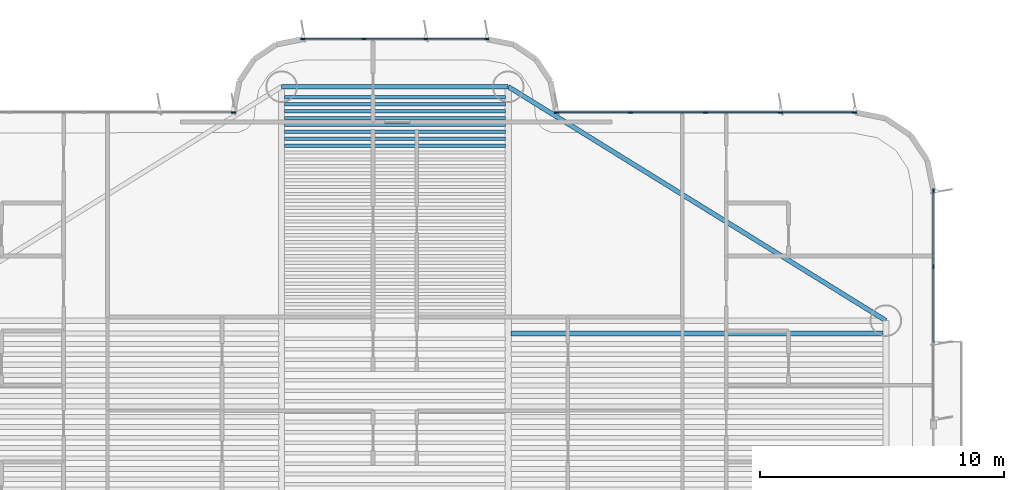
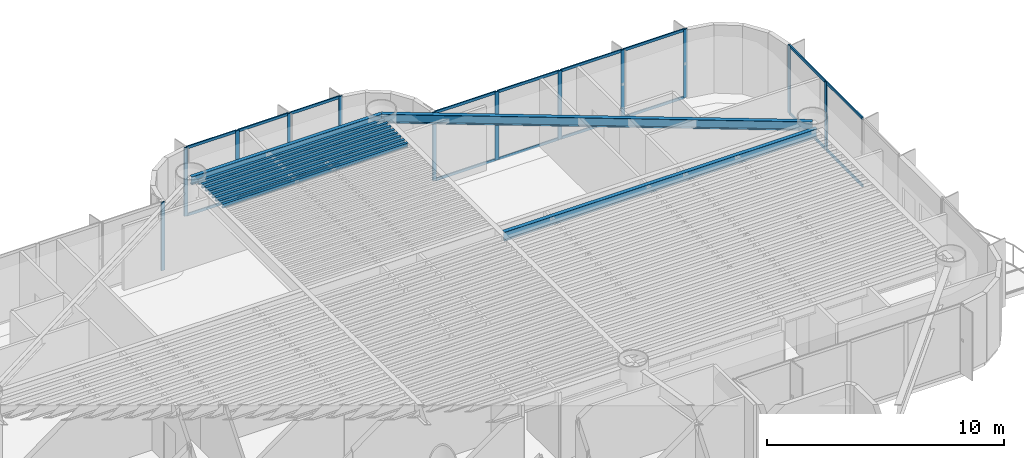
# One storey, part 7 of 17: 30 members, 11 beams, 4 elements without a shape of their own.
"""IFC4 building model written with IfcOpenShell, lengths in metres."""

from ifc_helpers import new_model, si_unit, direction, frame, origin, origin_2d, place, context, subcontext, project, spatial, rectangle, i_section, extrude, source, transform, mapped, material, layer, layer_set, material_profile, profile_set, type_object, element, aggregate, save


model = new_model("IFC4")

# Units and contexts
model_context = context("Model", 3, precision=1e-05, world=origin(), true_north=direction((0.0, 1.0)))
body_context = subcontext(model_context, "Body", "Model", "MODEL_VIEW")
ifc_project = project(units=[si_unit("LENGTHUNIT", "METRE"), si_unit("AREAUNIT", "SQUARE_METRE"), si_unit("VOLUMEUNIT", "CUBIC_METRE"), si_unit("PLANEANGLEUNIT", "RADIAN"), si_unit("MASSUNIT", "GRAM", prefix="KILO")], contexts=[model_context])

# Site, building, storey
site_placement = place(None, origin())
site = spatial("IfcSite", under=ifc_project, at=site_placement, CompositionType="ELEMENT")
building_placement = place(site_placement, origin())
building = spatial("IfcBuilding", under=site, at=building_placement, Name="Brelvock Crest Care Tower", CompositionType="ELEMENT")
storey_placement = place(building_placement, frame((0.0, 0.0, 135.179931640625)))
storey = spatial("IfcBuildingStorey", under=building, at=storey_placement, Name="L34", CompositionType="ELEMENT", Elevation=135.179931640625)

# Beams
ifc_material_1 = material(Name="Steel Grade 350", Category="steel")
ifc_material_profile_1 = material_profile(ifc_material_1, i_section(OverallWidth=0.177978515625, OverallDepth=0.406005859375, WebThickness=0.0078125, FlangeThickness=0.0126953125, FilletRadius=0.011474609375, at=origin_2d()), Name="410UB59.7")
ifc_profile_set_1 = profile_set([ifc_material_profile_1], Name="Steel Grade 350")
beam_type_1 = type_object("IfcBeamType", Name="BM-SP1", PredefinedType="SPANDREL", material=ifc_profile_set_1)
shared_shape_1 = source(origin(), body_context, "Body", "SweptSolid", [
    extrude(i_section(OverallWidth=0.177978515625, OverallDepth=0.406005859375, WebThickness=0.0078125, FlangeThickness=0.0126953125, FilletRadius=0.011474609375, at=origin_2d()), origin(), (0.0, 0.0, 1.0), 9.2998046875),
])
beam_1_placement = place(storey_placement, frame((31.35009765625, 48.449951171875, 3.3271484375), z_axis=(1.0, 0.0, 0.0), x_axis=(0.0, 1.0, 0.0)))
element("IfcBeam", 1, at=beam_1_placement, inside=storey, type_object=beam_type_1, Name="BM-TWR-L34-08", PredefinedType="SPANDREL", context=body_context, shape_type="MappedRepresentation", body=[
    mapped(shared_shape_1, transform((0.0, 0.0, 0.0), x_axis=(1.0, 0.0, 0.0), y_axis=(0.0, 1.0, 0.0), z_axis=(0.0, 0.0, 1.0), scale=1.0)),
])
ifc_material_profile_2 = material_profile(ifc_material_1, i_section(OverallWidth=0.134033203125, OverallDepth=0.20703125, WebThickness=0.00634765625, FlangeThickness=0.009521484375, FilletRadius=0.0087890625, at=origin_2d()), Name="200UB29.8")
ifc_profile_set_2 = profile_set([ifc_material_profile_2], Name="Steel Grade 350")
beam_type_2 = type_object("IfcBeamType", Name="BM-J4", PredefinedType="JOIST", material=ifc_profile_set_2)
shared_shape_2 = source(origin(), body_context, "Body", "SweptSolid", [
    extrude(i_section(OverallWidth=0.134033203125, OverallDepth=0.20703125, WebThickness=0.00634765625, FlangeThickness=0.009521484375, FilletRadius=0.0087890625, at=origin_2d()), origin(), (0.0, 0.0, 1.0), 9.06982421875),
])
for number, where, z_axis, x_axis, name in (
    (2, (31.465087890625, 46.03076171875, 3.426513671875), (1.0, 0.0, 0.0), (0.0, 1.0, 0.0), "BM-JN-L34-25"),
    (3, (31.465087890625, 46.31396484375, 3.426513671875), (1.0, 0.0, 0.0), (0.0, 1.0, 0.0), "BM-JN-L34-26"),
    (4, (31.465087890625, 46.59716796875, 3.426513671875), (1.0, 0.0, 0.0), (0.0, 1.0, 0.0), "BM-JN-L34-27"),
    (5, (31.465087890625, 46.88037109375, 3.426513671875), (1.0, 0.0, 0.0), (0.0, 1.0, 0.0), "BM-JN-L34-28"),
    (6, (31.465087890625, 47.16357421875, 3.426513671875), (1.0, 0.0, 0.0), (0.0, 1.0, 0.0), "BM-JN-L34-29"),
    (7, (31.465087890625, 47.44677734375, 3.426513671875), (1.0, 0.0, 0.0), (0.0, 1.0, 0.0), "BM-JN-L34-30"),
    (8, (31.465087890625, 47.72998046875, 3.426513671875), (1.0, 0.0, 0.0), (0.0, 1.0, 0.0), "BM-JN-L34-31"),
    (9, (31.465087890625, 48.01318359375, 3.426513671875), (1.0, 0.0, 0.0), (0.0, 1.0, 0.0), "BM-JN-L34-32"),
):
    element("IfcBeam", number, at=place(storey_placement, frame(where, z_axis=z_axis, x_axis=x_axis)), inside=storey, type_object=beam_type_2, Name=name, PredefinedType="JOIST", context=body_context, shape_type="MappedRepresentation", body=[
        mapped(shared_shape_2, transform((0.0, 0.0, 0.0), x_axis=(1.0, 0.0, 0.0), y_axis=(0.0, 1.0, 0.0), z_axis=(0.0, 0.0, 1.0), scale=1.0)),
    ])
ifc_material_profile_3 = material_profile(ifc_material_1, i_section(OverallWidth=0.19091796875, OverallDepth=0.4599609375, WebThickness=0.010009765625, FlangeThickness=0.01611328125, FilletRadius=0.011474609375, at=origin_2d()), Name="460UB82.1")
ifc_profile_set_3 = profile_set([ifc_material_profile_3], Name="Steel Grade 350")
beam_type_3 = type_object("IfcBeamType", Name="BM-G3", PredefinedType="BEAM", material=ifc_profile_set_3)
shared_shape_3 = source(origin(), body_context, "Body", "SweptSolid", [
    extrude(i_section(OverallWidth=0.19091796875, OverallDepth=0.4599609375, WebThickness=0.010009765625, FlangeThickness=0.01611328125, FilletRadius=0.011474609375, at=origin_2d()), origin(), (0.0, 0.0, 1.0), 15.27001953125),
])
beam_2_placement = place(storey_placement, frame((40.764892578125, 38.317626953125, 3.300048828125), z_axis=(1.0, 0.0, 0.0), x_axis=(0.0, 1.0, 0.0)))
element("IfcBeam", 10, at=beam_2_placement, inside=storey, type_object=beam_type_3, Name="BM-JE-L34-26", PredefinedType="BEAM", context=body_context, shape_type="MappedRepresentation", body=[
    mapped(shared_shape_3, transform((0.0, 0.0, 0.0), x_axis=(1.0, 0.0, 0.0), y_axis=(0.0, 1.0, 0.0), z_axis=(0.0, 0.0, 1.0), scale=1.0)),
])
ifc_material_profile_4 = material_profile(ifc_material_1, i_section(OverallWidth=0.19091796875, OverallDepth=0.4599609375, WebThickness=0.010009765625, FlangeThickness=0.01611328125, FilletRadius=0.011474609375, at=origin_2d()), Name="460UB82.1")
ifc_profile_set_4 = profile_set([ifc_material_profile_4], Name="Steel Grade 350")
beam_type_4 = type_object("IfcBeamType", Name="BM-SP2", PredefinedType="SPANDREL", material=ifc_profile_set_4)
shared_shape_4 = source(origin(), body_context, "Body", "SweptSolid", [
    extrude(i_section(OverallWidth=0.19091796875, OverallDepth=0.4599609375, WebThickness=0.010009765625, FlangeThickness=0.01611328125, FilletRadius=0.011474609375, at=origin_2d()), origin(), (0.0, 0.0, 1.0), 18.23193359375),
])
beam_3_placement = place(storey_placement, frame((40.64990234375, 48.449951171875, 3.300048828125), z_axis=(0.85015183248, -0.526537616635, 0.0), x_axis=(0.526537616635, 0.85015183248, 0.0)))
element("IfcBeam", 11, at=beam_3_placement, inside=storey, type_object=beam_type_4, Name="BM-TWR-L34-07", PredefinedType="SPANDREL", context=body_context, shape_type="MappedRepresentation", body=[
    mapped(shared_shape_4, transform((0.0, 0.0, 0.0), x_axis=(1.0, 0.0, 0.0), y_axis=(0.0, 1.0, 0.0), z_axis=(0.0, 0.0, 1.0), scale=1.0)),
])

# Curtain wall, member
ifc_material_2 = material(Name="Dark Glass Double Glazed Low-E", Category="glass")
ifc_layer = layer(ifc_material_2, 0.2099609375, Name="CWS-3")
ifc_layer_set = layer_set([ifc_layer], Name="Dark Glass Double Glazed Low-E")
curtain_wall_type = type_object("IfcCurtainWallType", Name="CWS-3", PredefinedType="NOTDEFINED", material=ifc_layer_set)
curtain_wall_1_placement = place(storey_placement, origin())
curtain_wall_1 = element("IfcCurtainWall", 12, at=curtain_wall_1_placement, inside=storey, type_object=curtain_wall_type, Name="L34 Curtain Wall E22", PredefinedType="NOTDEFINED")
ifc_material_3 = material(Name="Aluminium 6063-T6", Category="aluminium")
ifc_material_profile_5 = material_profile(ifc_material_3, rectangle(XDim=0.06005859375, YDim=0.179931640625, at=origin_2d()), Name="ALU60x180")
ifc_profile_set_5 = profile_set([ifc_material_profile_5], Name="Aluminium 6063-T6")
member_type_1 = type_object("IfcMemberType", Name="CWM-2", PredefinedType="MULLION", material=ifc_profile_set_5)
shared_shape_5 = source(origin(), body_context, "Body", "SweptSolid", [
    extrude(rectangle(XDim=0.06005859375, YDim=0.179931640625, at=origin_2d()), origin(), (0.0, 0.0, 1.0), 3.530029296875),
])
member_1_placement = place(storey_placement, frame((29.3701171875, 47.39990234375, 0.0), z_axis=(0.0, 0.0, 1.0), x_axis=(0.0, 1.0, 0.0)))
member_1 = element("IfcMember", 13, at=member_1_placement, type_object=member_type_1, Name="CW-3 mullion 5", PredefinedType="MULLION", context=body_context, shape_type="MappedRepresentation", body=[
    mapped(shared_shape_5, transform((0.0, 0.0, 0.0), x_axis=(1.0, 0.0, 0.0), y_axis=(0.0, 1.0, 0.0), z_axis=(0.0, 0.0, 1.0), scale=1.0)),
])
aggregate(curtain_wall_1, [member_1])

# Curtain wall, members
curtain_wall_2_placement = place(storey_placement, origin())
curtain_wall_2 = element("IfcCurtainWall", 14, at=curtain_wall_2_placement, inside=storey, type_object=curtain_wall_type, Name="L34 Curtain Wall E28", PredefinedType="NOTDEFINED")
member_2_placement = place(storey_placement, frame((32.22998046875, 50.39990234375, 0.0), z_axis=(0.0, 0.0, 1.0), x_axis=(0.0, 1.0, 0.0)))
member_2 = element("IfcMember", 15, at=member_2_placement, type_object=member_type_1, Name="CW-3 mullion 1", PredefinedType="MULLION", context=body_context, shape_type="MappedRepresentation", body=[
    mapped(shared_shape_5, transform((0.0, 0.0, 0.0), x_axis=(1.0, 0.0, 0.0), y_axis=(0.0, 1.0, 0.0), z_axis=(0.0, 0.0, 1.0), scale=1.0)),
])
member_3_placement = place(storey_placement, frame((34.7333984375, 50.39990234375, 0.0), z_axis=(0.0, 0.0, 1.0), x_axis=(0.0, 1.0, 0.0)))
member_3 = element("IfcMember", 16, at=member_3_placement, type_object=member_type_1, Name="CW-3 mullion 2", PredefinedType="MULLION", context=body_context, shape_type="MappedRepresentation", body=[
    mapped(shared_shape_5, transform((0.0, 0.0, 0.0), x_axis=(1.0, 0.0, 0.0), y_axis=(0.0, 1.0, 0.0), z_axis=(0.0, 0.0, 1.0), scale=1.0)),
])
member_4_placement = place(storey_placement, frame((37.2666015625, 50.39990234375, 0.0), z_axis=(0.0, 0.0, 1.0), x_axis=(0.0, 1.0, 0.0)))
member_4 = element("IfcMember", 17, at=member_4_placement, type_object=member_type_1, Name="CW-3 mullion 3", PredefinedType="MULLION", context=body_context, shape_type="MappedRepresentation", body=[
    mapped(shared_shape_5, transform((0.0, 0.0, 0.0), x_axis=(1.0, 0.0, 0.0), y_axis=(0.0, 1.0, 0.0), z_axis=(0.0, 0.0, 1.0), scale=1.0)),
])
member_5_placement = place(storey_placement, frame((39.77001953125, 50.39990234375, 0.0), z_axis=(0.0, 0.0, 1.0), x_axis=(0.0, 1.0, 0.0)))
member_5 = element("IfcMember", 18, at=member_5_placement, type_object=member_type_1, Name="CW-3 mullion 4", PredefinedType="MULLION", context=body_context, shape_type="MappedRepresentation", body=[
    mapped(shared_shape_5, transform((0.0, 0.0, 0.0), x_axis=(1.0, 0.0, 0.0), y_axis=(0.0, 1.0, 0.0), z_axis=(0.0, 0.0, 1.0), scale=1.0)),
])

curtain_wall_3_placement = place(storey_placement, origin())
curtain_wall_3 = element("IfcCurtainWall", 19, at=curtain_wall_3_placement, inside=storey, type_object=curtain_wall_type, Name="L34 Curtain Wall E34", PredefinedType="NOTDEFINED")
member_6_placement = place(storey_placement, frame((42.6298828125, 47.39990234375, 0.0), z_axis=(0.0, 0.0, 1.0), x_axis=(0.0, 1.0, 0.0)))
member_6 = element("IfcMember", 20, at=member_6_placement, type_object=member_type_1, Name="CW-3 mullion 1", PredefinedType="MULLION", context=body_context, shape_type="MappedRepresentation", body=[
    mapped(shared_shape_5, transform((0.0, 0.0, 0.0), x_axis=(1.0, 0.0, 0.0), y_axis=(0.0, 1.0, 0.0), z_axis=(0.0, 0.0, 1.0), scale=1.0)),
])
member_7_placement = place(storey_placement, frame((45.675048828125, 47.39990234375, 0.0), z_axis=(0.0, 0.0, 1.0), x_axis=(0.0, 1.0, 0.0)))
member_7 = element("IfcMember", 21, at=member_7_placement, type_object=member_type_1, Name="CW-3 mullion 2", PredefinedType="MULLION", context=body_context, shape_type="MappedRepresentation", body=[
    mapped(shared_shape_5, transform((0.0, 0.0, 0.0), x_axis=(1.0, 0.0, 0.0), y_axis=(0.0, 1.0, 0.0), z_axis=(0.0, 0.0, 1.0), scale=1.0)),
])
member_8_placement = place(storey_placement, frame((48.75, 47.39990234375, 0.0), z_axis=(0.0, 0.0, 1.0), x_axis=(0.0, 1.0, 0.0)))
member_8 = element("IfcMember", 22, at=member_8_placement, type_object=member_type_1, Name="CW-3 mullion 3", PredefinedType="MULLION", context=body_context, shape_type="MappedRepresentation", body=[
    mapped(shared_shape_5, transform((0.0, 0.0, 0.0), x_axis=(1.0, 0.0, 0.0), y_axis=(0.0, 1.0, 0.0), z_axis=(0.0, 0.0, 1.0), scale=1.0)),
])
member_9_placement = place(storey_placement, frame((51.824951171875, 47.39990234375, 0.0), z_axis=(0.0, 0.0, 1.0), x_axis=(0.0, 1.0, 0.0)))
member_9 = element("IfcMember", 23, at=member_9_placement, type_object=member_type_1, Name="CW-3 mullion 4", PredefinedType="MULLION", context=body_context, shape_type="MappedRepresentation", body=[
    mapped(shared_shape_5, transform((0.0, 0.0, 0.0), x_axis=(1.0, 0.0, 0.0), y_axis=(0.0, 1.0, 0.0), z_axis=(0.0, 0.0, 1.0), scale=1.0)),
])
member_10_placement = place(storey_placement, frame((54.8701171875, 47.39990234375, 0.0), z_axis=(0.0, 0.0, 1.0), x_axis=(0.0, 1.0, 0.0)))
member_10 = element("IfcMember", 24, at=member_10_placement, type_object=member_type_1, Name="CW-3 mullion 5", PredefinedType="MULLION", context=body_context, shape_type="MappedRepresentation", body=[
    mapped(shared_shape_5, transform((0.0, 0.0, 0.0), x_axis=(1.0, 0.0, 0.0), y_axis=(0.0, 1.0, 0.0), z_axis=(0.0, 0.0, 1.0), scale=1.0)),
])

curtain_wall_4_placement = place(storey_placement, origin())
curtain_wall_4 = element("IfcCurtainWall", 25, at=curtain_wall_4_placement, inside=storey, type_object=curtain_wall_type, Name="L34 Curtain Wall E39A", PredefinedType="NOTDEFINED")
member_11_placement = place(storey_placement, frame((58.10009765625, 44.169921875, 0.0), z_axis=(0.0, 0.0, 1.0), x_axis=(1.0, 0.0, 0.0)))
member_11 = element("IfcMember", 26, at=member_11_placement, type_object=member_type_1, Name="CW-3 mullion 1", PredefinedType="MULLION", context=body_context, shape_type="MappedRepresentation", body=[
    mapped(shared_shape_5, transform((0.0, 0.0, 0.0), x_axis=(1.0, 0.0, 0.0), y_axis=(0.0, 1.0, 0.0), z_axis=(0.0, 0.0, 1.0), scale=1.0)),
])
member_12_placement = place(storey_placement, frame((58.10009765625, 41.066650390625, 0.0), z_axis=(0.0, 0.0, 1.0), x_axis=(1.0, 0.0, 0.0)))
member_12 = element("IfcMember", 27, at=member_12_placement, type_object=member_type_1, Name="CW-3 mullion 2", PredefinedType="MULLION", context=body_context, shape_type="MappedRepresentation", body=[
    mapped(shared_shape_5, transform((0.0, 0.0, 0.0), x_axis=(1.0, 0.0, 0.0), y_axis=(0.0, 1.0, 0.0), z_axis=(0.0, 0.0, 1.0), scale=1.0)),
])

# Member
ifc_material_profile_6 = material_profile(ifc_material_3, rectangle(XDim=0.06005859375, YDim=0.139892578125, at=origin_2d()), Name="ALU60x140")
ifc_profile_set_6 = profile_set([ifc_material_profile_6], Name="Aluminium 6063-T6")
member_type_2 = type_object("IfcMemberType", Name="CWT-2", PredefinedType="USERDEFINED", material=ifc_profile_set_6)
shared_shape_6 = source(origin(), body_context, "Body", "SweptSolid", [
    extrude(rectangle(XDim=0.06005859375, YDim=0.139892578125, at=origin_2d()), origin(), (0.0, 0.0, 1.0), 2.985107421875),
])
member_13_placement = place(storey_placement, frame((42.659912109375, 47.39990234375, 0.030029296875), z_axis=(1.0, 0.0, 0.0), x_axis=(0.0, 1.0, 0.0)))
member_13 = element("IfcMember", 28, at=member_13_placement, type_object=member_type_2, Name="CW-3 transom 1.1", ObjectType="TRANSOM", PredefinedType="USERDEFINED", context=body_context, shape_type="MappedRepresentation", body=[
    mapped(shared_shape_6, transform((0.0, 0.0, 0.0), x_axis=(1.0, 0.0, 0.0), y_axis=(0.0, 1.0, 0.0), z_axis=(0.0, 0.0, 1.0), scale=1.0)),
])

member_14_placement = place(storey_placement, frame((42.659912109375, 47.39990234375, 3.5), z_axis=(1.0, 0.0, 0.0), x_axis=(0.0, 1.0, 0.0)))
member_14 = element("IfcMember", 29, at=member_14_placement, type_object=member_type_2, Name="CW-3 transom 1.2", ObjectType="TRANSOM", PredefinedType="USERDEFINED", context=body_context, shape_type="MappedRepresentation", body=[
    mapped(shared_shape_6, transform((0.0, 0.0, 0.0), x_axis=(1.0, 0.0, 0.0), y_axis=(0.0, 1.0, 0.0), z_axis=(0.0, 0.0, 1.0), scale=1.0)),
])

member_15_placement = place(storey_placement, frame((51.85498046875, 47.39990234375, 0.030029296875), z_axis=(1.0, 0.0, 0.0), x_axis=(0.0, 1.0, 0.0)))
member_15 = element("IfcMember", 30, at=member_15_placement, type_object=member_type_2, Name="CW-3 transom 4.1", ObjectType="TRANSOM", PredefinedType="USERDEFINED", context=body_context, shape_type="MappedRepresentation", body=[
    mapped(shared_shape_6, transform((0.0, 0.0, 0.0), x_axis=(1.0, 0.0, 0.0), y_axis=(0.0, 1.0, 0.0), z_axis=(0.0, 0.0, 1.0), scale=1.0)),
])

member_16_placement = place(storey_placement, frame((51.85498046875, 47.39990234375, 3.5), z_axis=(1.0, 0.0, 0.0), x_axis=(0.0, 1.0, 0.0)))
member_16 = element("IfcMember", 31, at=member_16_placement, type_object=member_type_2, Name="CW-3 transom 4.2", ObjectType="TRANSOM", PredefinedType="USERDEFINED", context=body_context, shape_type="MappedRepresentation", body=[
    mapped(shared_shape_6, transform((0.0, 0.0, 0.0), x_axis=(1.0, 0.0, 0.0), y_axis=(0.0, 1.0, 0.0), z_axis=(0.0, 0.0, 1.0), scale=1.0)),
])

shared_shape_7 = source(origin(), body_context, "Body", "SweptSolid", [
    extrude(rectangle(XDim=0.06005859375, YDim=0.139892578125, at=origin_2d()), origin(), (0.0, 0.0, 1.0), 3.014892578125),
])
member_17_placement = place(storey_placement, frame((45.705078125, 47.39990234375, 0.030029296875), z_axis=(1.0, 0.0, 0.0), x_axis=(0.0, 1.0, 0.0)))
member_17 = element("IfcMember", 32, at=member_17_placement, type_object=member_type_2, Name="CW-3 transom 2.1", ObjectType="TRANSOM", PredefinedType="USERDEFINED", context=body_context, shape_type="MappedRepresentation", body=[
    mapped(shared_shape_7, transform((0.0, 0.0, 0.0), x_axis=(1.0, 0.0, 0.0), y_axis=(0.0, 1.0, 0.0), z_axis=(0.0, 0.0, 1.0), scale=1.0)),
])

member_18_placement = place(storey_placement, frame((45.705078125, 47.39990234375, 3.5), z_axis=(1.0, 0.0, 0.0), x_axis=(0.0, 1.0, 0.0)))
member_18 = element("IfcMember", 33, at=member_18_placement, type_object=member_type_2, Name="CW-3 transom 2.2", ObjectType="TRANSOM", PredefinedType="USERDEFINED", context=body_context, shape_type="MappedRepresentation", body=[
    mapped(shared_shape_7, transform((0.0, 0.0, 0.0), x_axis=(1.0, 0.0, 0.0), y_axis=(0.0, 1.0, 0.0), z_axis=(0.0, 0.0, 1.0), scale=1.0)),
])

member_19_placement = place(storey_placement, frame((48.780029296875, 47.39990234375, 0.030029296875), z_axis=(1.0, 0.0, 0.0), x_axis=(0.0, 1.0, 0.0)))
member_19 = element("IfcMember", 34, at=member_19_placement, type_object=member_type_2, Name="CW-3 transom 3.1", ObjectType="TRANSOM", PredefinedType="USERDEFINED", context=body_context, shape_type="MappedRepresentation", body=[
    mapped(shared_shape_7, transform((0.0, 0.0, 0.0), x_axis=(1.0, 0.0, 0.0), y_axis=(0.0, 1.0, 0.0), z_axis=(0.0, 0.0, 1.0), scale=1.0)),
])

member_20_placement = place(storey_placement, frame((48.780029296875, 47.39990234375, 3.5), z_axis=(1.0, 0.0, 0.0), x_axis=(0.0, 1.0, 0.0)))
member_20 = element("IfcMember", 35, at=member_20_placement, type_object=member_type_2, Name="CW-3 transom 3.2", ObjectType="TRANSOM", PredefinedType="USERDEFINED", context=body_context, shape_type="MappedRepresentation", body=[
    mapped(shared_shape_7, transform((0.0, 0.0, 0.0), x_axis=(1.0, 0.0, 0.0), y_axis=(0.0, 1.0, 0.0), z_axis=(0.0, 0.0, 1.0), scale=1.0)),
])

aggregate(curtain_wall_3, [member_6, member_7, member_8, member_9, member_10, member_13, member_14, member_17, member_18, member_19, member_20, member_15, member_16])

shared_shape_8 = source(origin(), body_context, "Body", "SweptSolid", [
    extrude(rectangle(XDim=0.06005859375, YDim=0.139892578125, at=origin_2d()), origin(), (0.0, 0.0, 1.0), 2.443359375),
])
member_21_placement = place(storey_placement, frame((32.260009765625, 50.39990234375, 0.030029296875), z_axis=(1.0, 0.0, 0.0), x_axis=(0.0, 1.0, 0.0)))
member_21 = element("IfcMember", 36, at=member_21_placement, type_object=member_type_2, Name="CW-3 transom 1.1", ObjectType="TRANSOM", PredefinedType="USERDEFINED", context=body_context, shape_type="MappedRepresentation", body=[
    mapped(shared_shape_8, transform((0.0, 0.0, 0.0), x_axis=(1.0, 0.0, 0.0), y_axis=(0.0, 1.0, 0.0), z_axis=(0.0, 0.0, 1.0), scale=1.0)),
])

member_22_placement = place(storey_placement, frame((32.260009765625, 50.39990234375, 3.5), z_axis=(1.0, 0.0, 0.0), x_axis=(0.0, 1.0, 0.0)))
member_22 = element("IfcMember", 37, at=member_22_placement, type_object=member_type_2, Name="CW-3 transom 1.2", ObjectType="TRANSOM", PredefinedType="USERDEFINED", context=body_context, shape_type="MappedRepresentation", body=[
    mapped(shared_shape_8, transform((0.0, 0.0, 0.0), x_axis=(1.0, 0.0, 0.0), y_axis=(0.0, 1.0, 0.0), z_axis=(0.0, 0.0, 1.0), scale=1.0)),
])

member_23_placement = place(storey_placement, frame((37.296630859375, 50.39990234375, 0.030029296875), z_axis=(1.0, 0.0, 0.0), x_axis=(0.0, 1.0, 0.0)))
member_23 = element("IfcMember", 38, at=member_23_placement, type_object=member_type_2, Name="CW-3 transom 3.1", ObjectType="TRANSOM", PredefinedType="USERDEFINED", context=body_context, shape_type="MappedRepresentation", body=[
    mapped(shared_shape_8, transform((0.0, 0.0, 0.0), x_axis=(1.0, 0.0, 0.0), y_axis=(0.0, 1.0, 0.0), z_axis=(0.0, 0.0, 1.0), scale=1.0)),
])

member_24_placement = place(storey_placement, frame((37.296630859375, 50.39990234375, 3.5), z_axis=(1.0, 0.0, 0.0), x_axis=(0.0, 1.0, 0.0)))
member_24 = element("IfcMember", 39, at=member_24_placement, type_object=member_type_2, Name="CW-3 transom 3.2", ObjectType="TRANSOM", PredefinedType="USERDEFINED", context=body_context, shape_type="MappedRepresentation", body=[
    mapped(shared_shape_8, transform((0.0, 0.0, 0.0), x_axis=(1.0, 0.0, 0.0), y_axis=(0.0, 1.0, 0.0), z_axis=(0.0, 0.0, 1.0), scale=1.0)),
])

shared_shape_9 = source(origin(), body_context, "Body", "SweptSolid", [
    extrude(rectangle(XDim=0.06005859375, YDim=0.139892578125, at=origin_2d()), origin(), (0.0, 0.0, 1.0), 2.47314453125),
])
member_25_placement = place(storey_placement, frame((34.763427734375, 50.39990234375, 0.030029296875), z_axis=(1.0, 0.0, 0.0), x_axis=(0.0, 1.0, 0.0)))
member_25 = element("IfcMember", 40, at=member_25_placement, type_object=member_type_2, Name="CW-3 transom 2.1", ObjectType="TRANSOM", PredefinedType="USERDEFINED", context=body_context, shape_type="MappedRepresentation", body=[
    mapped(shared_shape_9, transform((0.0, 0.0, 0.0), x_axis=(1.0, 0.0, 0.0), y_axis=(0.0, 1.0, 0.0), z_axis=(0.0, 0.0, 1.0), scale=1.0)),
])

member_26_placement = place(storey_placement, frame((34.763427734375, 50.39990234375, 3.5), z_axis=(1.0, 0.0, 0.0), x_axis=(0.0, 1.0, 0.0)))
member_26 = element("IfcMember", 41, at=member_26_placement, type_object=member_type_2, Name="CW-3 transom 2.2", ObjectType="TRANSOM", PredefinedType="USERDEFINED", context=body_context, shape_type="MappedRepresentation", body=[
    mapped(shared_shape_9, transform((0.0, 0.0, 0.0), x_axis=(1.0, 0.0, 0.0), y_axis=(0.0, 1.0, 0.0), z_axis=(0.0, 0.0, 1.0), scale=1.0)),
])

aggregate(curtain_wall_2, [member_2, member_3, member_4, member_5, member_21, member_22, member_25, member_26, member_23, member_24])

shared_shape_10 = source(origin(), body_context, "Body", "SweptSolid", [
    extrude(rectangle(XDim=0.06005859375, YDim=0.139892578125, at=origin_2d()), origin(), (0.0, 0.0, 1.0), 3.043212890625),
])
member_27_placement = place(storey_placement, frame((58.10009765625, 44.139892578125, 0.030029296875), z_axis=(0.0, -1.0, 0.0), x_axis=(1.0, 0.0, 0.0)))
member_27 = element("IfcMember", 42, at=member_27_placement, type_object=member_type_2, Name="CW-3 transom 1.1", ObjectType="TRANSOM", PredefinedType="USERDEFINED", context=body_context, shape_type="MappedRepresentation", body=[
    mapped(shared_shape_10, transform((0.0, 0.0, 0.0), x_axis=(1.0, 0.0, 0.0), y_axis=(0.0, 1.0, 0.0), z_axis=(0.0, 0.0, 1.0), scale=1.0)),
])

member_28_placement = place(storey_placement, frame((58.10009765625, 44.139892578125, 3.5), z_axis=(0.0, -1.0, 0.0), x_axis=(1.0, 0.0, 0.0)))
member_28 = element("IfcMember", 43, at=member_28_placement, type_object=member_type_2, Name="CW-3 transom 1.2", ObjectType="TRANSOM", PredefinedType="USERDEFINED", context=body_context, shape_type="MappedRepresentation", body=[
    mapped(shared_shape_10, transform((0.0, 0.0, 0.0), x_axis=(1.0, 0.0, 0.0), y_axis=(0.0, 1.0, 0.0), z_axis=(0.0, 0.0, 1.0), scale=1.0)),
])

shared_shape_11 = source(origin(), body_context, "Body", "SweptSolid", [
    extrude(rectangle(XDim=0.06005859375, YDim=0.139892578125, at=origin_2d()), origin(), (0.0, 0.0, 1.0), 3.0732421875),
])
member_29_placement = place(storey_placement, frame((58.10009765625, 41.03662109375, 0.030029296875), z_axis=(0.0, -1.0, 0.0), x_axis=(1.0, 0.0, 0.0)))
member_29 = element("IfcMember", 44, at=member_29_placement, type_object=member_type_2, Name="CW-3 transom 2.1", ObjectType="TRANSOM", PredefinedType="USERDEFINED", context=body_context, shape_type="MappedRepresentation", body=[
    mapped(shared_shape_11, transform((0.0, 0.0, 0.0), x_axis=(1.0, 0.0, 0.0), y_axis=(0.0, 1.0, 0.0), z_axis=(0.0, 0.0, 1.0), scale=1.0)),
])

member_30_placement = place(storey_placement, frame((58.10009765625, 41.03662109375, 3.5), z_axis=(0.0, -1.0, 0.0), x_axis=(1.0, 0.0, 0.0)))
member_30 = element("IfcMember", 45, at=member_30_placement, type_object=member_type_2, Name="CW-3 transom 2.2", ObjectType="TRANSOM", PredefinedType="USERDEFINED", context=body_context, shape_type="MappedRepresentation", body=[
    mapped(shared_shape_11, transform((0.0, 0.0, 0.0), x_axis=(1.0, 0.0, 0.0), y_axis=(0.0, 1.0, 0.0), z_axis=(0.0, 0.0, 1.0), scale=1.0)),
])

aggregate(curtain_wall_4, [member_11, member_12, member_27, member_28, member_29, member_30])

save(model, "model.ifc")
